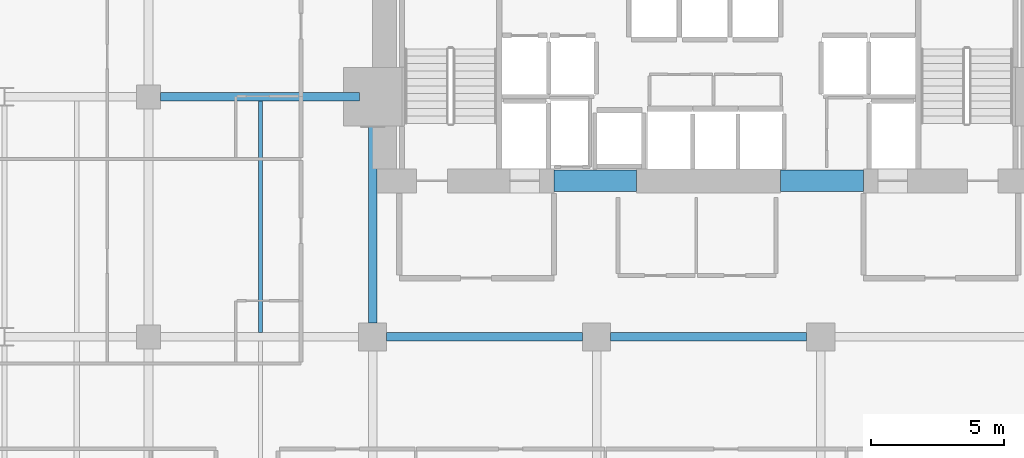
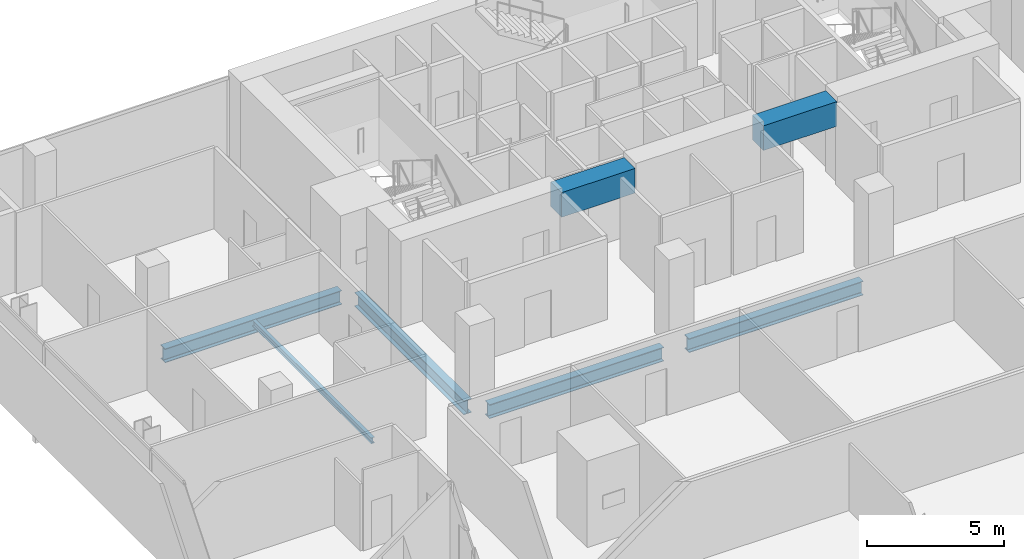
# One storey, part 24 of 40: 7 beams.
"""IFC4 building model written with IfcOpenShell, lengths in metres."""

from ifc_helpers import new_model, si_unit, direction, frame, origin, origin_2d, place, context, subcontext, project, spatial, rectangle, i_section, extrude, material, material_profile, profile_set, type_object, element, save


model = new_model("IFC4")

# Units and contexts
model_context = context("Model", 3, precision=1e-05, world=origin(), true_north=direction((0.0, 1.0)))
body_context = subcontext(model_context, "Body", "Model", "MODEL_VIEW")
ifc_project = project(units=[si_unit("LENGTHUNIT", "METRE"), si_unit("AREAUNIT", "SQUARE_METRE"), si_unit("VOLUMEUNIT", "CUBIC_METRE"), si_unit("PLANEANGLEUNIT", "RADIAN"), si_unit("MASSUNIT", "GRAM", prefix="KILO")], contexts=[model_context])

# Site, building, storey
site_placement = place(None, origin())
site = spatial("IfcSite", under=ifc_project, at=site_placement, CompositionType="ELEMENT")
building_placement = place(site_placement, origin())
building = spatial("IfcBuilding", under=site, at=building_placement, Name="Maruvema Waterfront Hotel and Observation Tower", CompositionType="ELEMENT")
storey_placement = place(building_placement, frame((0.0, 0.0, 38.5)))
storey = spatial("IfcBuildingStorey", under=building, at=storey_placement, Name="L08", CompositionType="ELEMENT", Elevation=38.5)

# Beams
ifc_material_1 = material(Name="Concrete C60/75", Category="concrete")
ifc_material_profile_1 = material_profile(ifc_material_1, rectangle(XDim=0.800048828125, YDim=1.10009765625, at=origin_2d()), Name="CB800x1100")
ifc_profile_set_1 = profile_set([ifc_material_profile_1], Name="Concrete C60/75")
beam_type_1 = type_object("IfcBeamType", Name="Core Coupling Lintel Beam CB800x1100", PredefinedType="LINTEL", material=ifc_profile_set_1)
for number, where, z_axis, x_axis, name in (
    (1, (32.0, 41.85009765625, 3.06005859375), (1.0, 0.0, 0.0), (0.0, 1.0, 0.0), "L08 Core Coupling Lintel Beam West"),
    (2, (40.5, 41.85009765625, 3.06005859375), (1.0, 0.0, 0.0), (0.0, 1.0, 0.0), "L08 Core Coupling Lintel Beam East"),
):
    element("IfcBeam", number, at=place(storey_placement, frame(where, z_axis=z_axis, x_axis=x_axis)), inside=storey, type_object=beam_type_1, Name=name, PredefinedType="LINTEL", context=body_context, shape_type="SweptSolid", body=[
        extrude(rectangle(XDim=0.800048828125, YDim=1.10009765625, at=origin_2d()), origin(), (0.0, 0.0, 1.0), 3.10009765625),
    ])
ifc_material_2 = material(Name="Steel ASTM A572 Grade 50", Category="steel")
ifc_material_profile_2 = material_profile(ifc_material_2, i_section(OverallWidth=0.326904296875, OverallDepth=0.6220703125, WebThickness=0.015380859375, FlangeThickness=0.0244140625, FilletRadius=0.01806640625, at=origin_2d()), Name="W610x195.0")
ifc_profile_set_2 = profile_set([ifc_material_profile_2], Name="Steel ASTM A572 Grade 50")
beam_type_2 = type_object("IfcBeamType", Name="Primary Floor Girder W610x195.0", PredefinedType="BEAM", material=ifc_profile_set_2)
beam_1_placement = place(storey_placement, frame((25.72509765625, 36.0, -0.551025390625), z_axis=(1.0, 0.0, 0.0), x_axis=(0.0, 1.0, 0.0)))
element("IfcBeam", 3, at=beam_1_placement, inside=storey, type_object=beam_type_2, Name="L08 Floor Girder EW-27", PredefinedType="BEAM", context=body_context, shape_type="SweptSolid", body=[
    extrude(i_section(OverallWidth=0.326904296875, OverallDepth=0.6220703125, WebThickness=0.015380859375, FlangeThickness=0.0244140625, FilletRadius=0.01806640625, at=origin_2d()), origin(), (0.0, 0.0, 1.0), 7.349853515625),
])
beam_2_placement = place(storey_placement, frame((34.125, 36.0, -0.551025390625), z_axis=(1.0, 0.0, 0.0), x_axis=(0.0, 1.0, 0.0)))
element("IfcBeam", 4, at=beam_2_placement, inside=storey, type_object=beam_type_2, Name="L08 Floor Girder EW-28", PredefinedType="BEAM", context=body_context, shape_type="SweptSolid", body=[
    extrude(i_section(OverallWidth=0.326904296875, OverallDepth=0.6220703125, WebThickness=0.015380859375, FlangeThickness=0.0244140625, FilletRadius=0.01806640625, at=origin_2d()), origin(), (0.0, 0.0, 1.0), 7.35009765625),
])
beam_3_placement = place(storey_placement, frame((17.25, 45.0, -0.551025390625), z_axis=(1.0, 0.0, 0.0), x_axis=(0.0, 1.0, 0.0)))
element("IfcBeam", 5, at=beam_3_placement, inside=storey, type_object=beam_type_2, Name="L08 Floor Girder EW-33", PredefinedType="BEAM", context=body_context, shape_type="SweptSolid", body=[
    extrude(i_section(OverallWidth=0.326904296875, OverallDepth=0.6220703125, WebThickness=0.015380859375, FlangeThickness=0.0244140625, FilletRadius=0.01806640625, at=origin_2d()), origin(), (0.0, 0.0, 1.0), 7.449951171875),
])
beam_4_placement = place(storey_placement, frame((25.199951171875, 36.52490234375, -0.551025390625), z_axis=(0.0, 1.0, 0.0), x_axis=(-1.0, 0.0, 0.0)))
element("IfcBeam", 6, at=beam_4_placement, inside=storey, type_object=beam_type_2, Name="L08 Floor Girder NS-15", PredefinedType="BEAM", context=body_context, shape_type="SweptSolid", body=[
    extrude(i_section(OverallWidth=0.326904296875, OverallDepth=0.6220703125, WebThickness=0.015380859375, FlangeThickness=0.0244140625, FilletRadius=0.01806640625, at=origin_2d()), origin(), (0.0, 0.0, 1.0), 7.97509765625),
])
ifc_material_3 = material(Name="Steel ASTM A572 Grade 50", Category="steel")
ifc_material_profile_3 = material_profile(ifc_material_3, i_section(OverallWidth=0.14599609375, OverallDepth=0.258056640625, WebThickness=0.006103515625, FlangeThickness=0.009033203125, FilletRadius=0.012939453125, at=origin_2d()), Name="W250x32.7")
ifc_profile_set_3 = profile_set([ifc_material_profile_3], Name="Steel ASTM A572 Grade 50")
beam_type_3 = type_object("IfcBeamType", Name="Secondary Floor Joist W250x32.7", PredefinedType="JOIST", material=ifc_profile_set_3)
beam_5_placement = place(storey_placement, frame((21.0, 36.16357421875, -0.368896484375), z_axis=(0.0, 1.0, 0.0), x_axis=(-1.0, 0.0, 0.0)))
element("IfcBeam", 7, at=beam_5_placement, inside=storey, type_object=beam_type_3, Name="L08 Secondary Floor Joist JS-09", PredefinedType="JOIST", context=body_context, shape_type="SweptSolid", body=[
    extrude(i_section(OverallWidth=0.14599609375, OverallDepth=0.258056640625, WebThickness=0.006103515625, FlangeThickness=0.009033203125, FilletRadius=0.012939453125, at=origin_2d()), origin(), (0.0, 0.0, 1.0), 8.6728515625),
])

save(model, "model.ifc")
